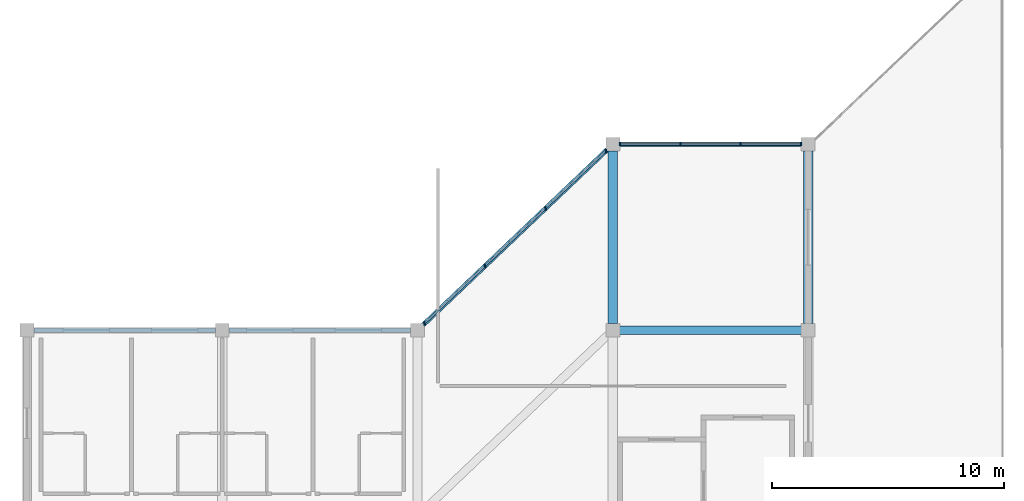
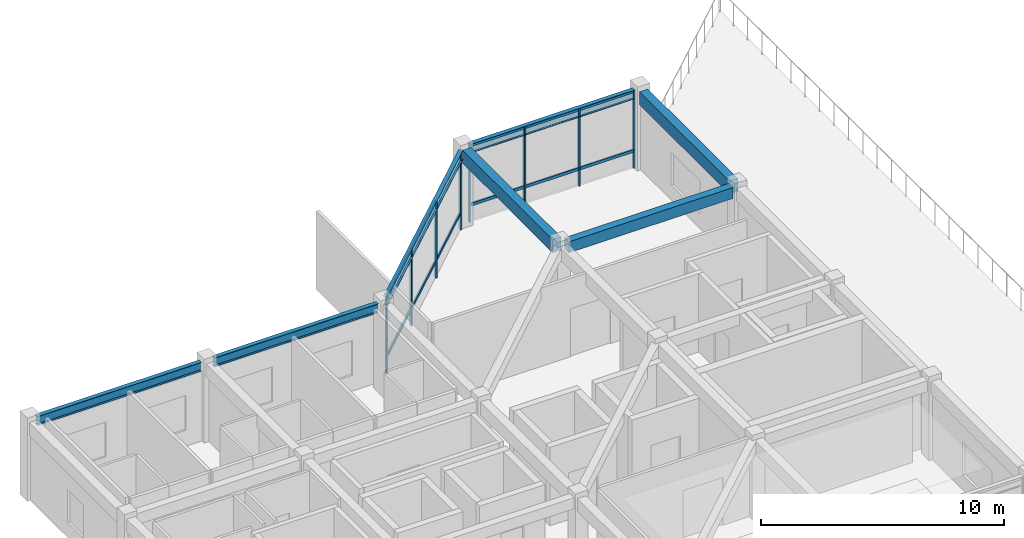
# One storey, part 5 of 11: 20 members, 7 beams, 2 elements without a shape of their own.
"""IFC4 building model written with IfcOpenShell, lengths in metres."""

import ifcopenshell
import ifcopenshell.guid

model = None  # the IFC model being written
_history = None  # IfcOwnerHistory: only IFC2X3 demands one
_inside = {}  # id of a spatial element -> (the spatial element, [elements in it])
_under = {}  # id of a project, library or spatial element -> (it, [spatial elements below it])
_declared = {}  # id of a project -> (the project, [libraries it declares])
_typed = {}  # id of a type object -> (the type object, [elements of that type])
_made_of = {}  # id of a material, layer set ... -> (it, [elements and type objects made of it])


def new_model(schema):
    """Start an empty IFC model of exactly this schema.

    Asked for "IFC4X3", IfcOpenShell would pick the latest addendum, in which some entities
    have other attributes; the version numbers below select the first issue.
    IFC2X3 requires an IfcOwnerHistory on every rooted entity: one is made here for all.
    """
    global model, _history
    if schema == "IFC4X3":
        model = ifcopenshell.file(schema_version=(4, 3, 0, 0))
    else:
        model = ifcopenshell.file(schema=schema)
    _inside.clear()
    _under.clear()
    _declared.clear()
    _typed.clear()
    _made_of.clear()
    _history = None
    if model.schema == "IFC2X3":
        org = make("IfcOrganization", Name="unknown")
        user = make(
            "IfcPersonAndOrganization",
            ThePerson=make("IfcPerson", FamilyName="unknown"),
            TheOrganization=org,
        )
        app = make(
            "IfcApplication",
            ApplicationDeveloper=org,
            Version="unknown",
            ApplicationFullName="unknown",
            ApplicationIdentifier="unknown",
        )
        _history = make(
            "IfcOwnerHistory",
            OwningUser=user,
            OwningApplication=app,
            ChangeAction="ADDED",
            CreationDate=0,
        )
    return model


def make(cls, **values):
    """One entity of the class cls with the attributes given. An attribute that is None is left unset."""
    return model.create_entity(
        cls, **{name: value for name, value in values.items() if value is not None}
    )


def rooted(cls, **values):
    """An entity with a GlobalId (a new one), such as an element, a storey or a relation."""
    return make(cls, GlobalId=ifcopenshell.guid.new(), OwnerHistory=_history, **values)


def si_unit(unit_type, name, prefix=None):
    """IfcSIUnit, for example si_unit("LENGTHUNIT", "METRE", prefix="MILLI")."""
    return make("IfcSIUnit", UnitType=unit_type, Prefix=prefix, Name=name)


def assignment(units):
    """IfcUnitAssignment: the units of a project."""
    return None if units is None else make("IfcUnitAssignment", Units=units)


def point(xyz):
    """IfcCartesianPoint."""
    return None if xyz is None else make("IfcCartesianPoint", Coordinates=xyz)


def direction(xyz):
    """IfcDirection."""
    return None if xyz is None else make("IfcDirection", DirectionRatios=xyz)


def frame(location, z_axis=None, x_axis=None):
    """IfcAxis2Placement3D, a coordinate frame: its origin and axes. An axis left out is left unset."""
    return make(
        "IfcAxis2Placement3D",
        Location=point(location),
        Axis=direction(z_axis),
        RefDirection=direction(x_axis),
    )


def frame_2d(location, x_axis=None):
    """IfcAxis2Placement2D, a coordinate frame in the plane: its origin and x axis."""
    return make(
        "IfcAxis2Placement2D", Location=point(location), RefDirection=direction(x_axis)
    )


def origin():
    """The frame at (0, 0, 0) with its axes left unset."""
    return frame((0.0, 0.0, 0.0))


def origin_2d():
    """The frame at (0, 0) in the plane with its x axis left unset."""
    return frame_2d((0.0, 0.0))


def place(relative_to, where):
    """IfcLocalPlacement: puts the frame where relative to a parent placement (None: the world)."""
    return make(
        "IfcLocalPlacement", PlacementRelTo=relative_to, RelativePlacement=where
    )


def context(
    kind, dimensions, precision=None, world=None, true_north=None, identifier=None
):
    """IfcGeometricRepresentationContext, for example the 3D "Model" context."""
    return make(
        "IfcGeometricRepresentationContext",
        ContextIdentifier=identifier,
        ContextType=kind,
        CoordinateSpaceDimension=dimensions,
        Precision=precision,
        WorldCoordinateSystem=world,
        TrueNorth=true_north,
    )


def subcontext(parent, identifier, kind, view, scale=None):
    """IfcGeometricRepresentationSubContext, for example "Body" below "Model"."""
    return make(
        "IfcGeometricRepresentationSubContext",
        ContextIdentifier=identifier,
        ContextType=kind,
        ParentContext=parent,
        TargetScale=scale,
        TargetView=view,
    )


def project(units=None, contexts=None):
    """IfcProject with its units and contexts."""
    return rooted(
        "IfcProject",
        Name="project",
        RepresentationContexts=contexts,
        UnitsInContext=assignment(units),
    )


def spatial(cls, under=None, at=None, **own):
    """A site, building, storey or space (cls), placed at a placement, below another one or the project."""
    s = rooted(cls, ObjectPlacement=at, **own)
    if under is not None:
        _under.setdefault(under.id(), (under, []))[1].append(s)
    return s


def profile(cls, at=None, kind="AREA", **sizes):
    """A parametric profile (cls). Its sizes go by their IFC names, for example OverallWidth=200.0."""
    return make(cls, ProfileType=kind, Position=at, **sizes)


def rectangle(**sizes):
    """IfcRectangleProfileDef."""
    return profile("IfcRectangleProfileDef", **sizes)


def i_section(**sizes):
    """IfcIShapeProfileDef."""
    return profile("IfcIShapeProfileDef", **sizes)


def extrude(swept, where, along, depth):
    """IfcExtrudedAreaSolid: the profile swept, set in the frame where, extruded along a direction by depth."""
    return make(
        "IfcExtrudedAreaSolid",
        SweptArea=swept,
        Position=where,
        ExtrudedDirection=direction(along),
        Depth=depth,
    )


def shape(context_of_items, identifier, shape_type, items):
    """IfcShapeRepresentation: the items that make up one representation, for example the "Body"."""
    return make(
        "IfcShapeRepresentation",
        ContextOfItems=context_of_items,
        RepresentationIdentifier=identifier,
        RepresentationType=shape_type,
        Items=items,
    )


def material(Name=None, Category=None):
    """IfcMaterial."""
    return make("IfcMaterial", Name=Name, Category=Category)


def layer(
    of_material, thickness, ventilated=None, Name=None, Category=None, Priority=None
):
    """IfcMaterialLayer: one layer of a wall or slab, of a material (None: an air gap)."""
    return make(
        "IfcMaterialLayer",
        Material=of_material,
        LayerThickness=thickness,
        IsVentilated=ventilated,
        Name=Name,
        Category=Category,
        Priority=Priority,
    )


def layer_set(layers, Name=None):
    """IfcMaterialLayerSet."""
    return make("IfcMaterialLayerSet", MaterialLayers=layers, LayerSetName=Name)


def material_profile(
    of_material, cross_section, Name=None, Category=None, Priority=None
):
    """IfcMaterialProfile: a cross section and its material."""
    return make(
        "IfcMaterialProfile",
        Name=Name,
        Material=of_material,
        Profile=cross_section,
        Priority=Priority,
        Category=Category,
    )


def profile_set(profiles, Name=None, composite=None):
    """IfcMaterialProfileSet."""
    return make(
        "IfcMaterialProfileSet",
        Name=Name,
        MaterialProfiles=profiles,
        CompositeProfile=composite,
    )


def made_of(thing, what):
    """Note that an element or type object is made of a material, layer set ...; save() writes the relation."""
    if what is not None:
        _made_of.setdefault(what.id(), (what, []))[1].append(thing)
    return thing


def type_object(cls, material=None, **own):
    """A type object (cls), such as IfcWallType, which elements share."""
    return made_of(rooted(cls, **own), material)


def element(
    cls,
    number,
    at=None,
    inside=None,
    cuts=None,
    type_object=None,
    material=None,
    context=None,
    identifier="Body",
    shape_type=None,
    held_by="IfcProductDefinitionShape",
    body=None,
    shapes=None,
    **own,
):
    """One element of the class cls, such as IfcWall. Its Tag is "e" and its number.

    at: its placement. inside: the storey or other place that contains it. cuts: it is an
    opening in that element (IfcRelVoidsElement). A single representation is given by context,
    identifier, shape_type and body (its items); several are given by shapes. held_by: the class
    of the entity that holds the representations. save() writes the other relations.
    """
    e = rooted(cls, Tag="e%d" % number, ObjectPlacement=at, **own)
    if body is not None:
        shapes = [shape(context, identifier, shape_type, body)]
    if shapes is not None:
        e.Representation = make(held_by, Representations=shapes)
    if inside is not None:
        _inside.setdefault(inside.id(), (inside, []))[1].append(e)
    if cuts is not None:
        rooted(
            "IfcRelVoidsElement", RelatingBuildingElement=cuts, RelatedOpeningElement=e
        )
    if type_object is not None:
        _typed.setdefault(type_object.id(), (type_object, []))[1].append(e)
    return made_of(e, material)


def aggregate(whole, parts):
    """IfcRelAggregates: a whole, such as a stair, and the parts it consists of."""
    return rooted("IfcRelAggregates", RelatingObject=whole, RelatedObjects=parts)


def save(model, path):
    """Write the relations noted so far, then the file.

    IfcRelAggregates (storeys below a building ...), IfcRelContainedInSpatialStructure (elements
    in a storey), IfcRelDefinesByType, IfcRelAssociatesMaterial and IfcRelDeclares: one each for
    every whole, place, type object, material and project.
    """
    for whole, parts in _under.values():
        aggregate(whole, parts)
    for where, things in _inside.values():
        rooted(
            "IfcRelContainedInSpatialStructure",
            RelatedElements=things,
            RelatingStructure=where,
        )
    for kind, things in _typed.values():
        rooted("IfcRelDefinesByType", RelatedObjects=things, RelatingType=kind)
    for what, things in _made_of.values():
        rooted("IfcRelAssociatesMaterial", RelatedObjects=things, RelatingMaterial=what)
    for by, libraries in _declared.values():
        rooted("IfcRelDeclares", RelatingContext=by, RelatedDefinitions=libraries)
    model.write(path)


model = new_model("IFC4")

# Units and contexts
model_context = context("Model", 3, precision=1e-05, world=origin(), true_north=direction((0.0, 1.0)))
body_context = subcontext(model_context, "Body", "Model", "MODEL_VIEW")
ifc_project = project(units=[si_unit("LENGTHUNIT", "METRE"), si_unit("AREAUNIT", "SQUARE_METRE"), si_unit("VOLUMEUNIT", "CUBIC_METRE"), si_unit("PLANEANGLEUNIT", "RADIAN"), si_unit("MASSUNIT", "GRAM", prefix="KILO")], contexts=[model_context])

# Site, building, storey
site_placement = place(None, origin())
site = spatial("IfcSite", under=ifc_project, at=site_placement, CompositionType="ELEMENT")
building_placement = place(site_placement, origin())
building = spatial("IfcBuilding", under=site, at=building_placement, Name="Naruveol Harbour Congress Hotel", CompositionType="ELEMENT")
storey_placement = place(building_placement, frame((0.0, 0.0, 47.39990234375)))
storey = spatial("IfcBuildingStorey", under=building, at=storey_placement, Name="L11", CompositionType="ELEMENT", Elevation=47.39990234375)

# Beams
ifc_material_1 = material(Name="Concrete C40/50", Category="concrete")
ifc_material_profile_1 = material_profile(ifc_material_1, rectangle(XDim=0.39990234375, YDim=0.64990234375, at=origin_2d()), Name="RCB-400x650")
ifc_profile_set_1 = profile_set([ifc_material_profile_1], Name="Concrete C40/50")
beam_type_1 = type_object("IfcBeamType", Name="RC HOTEL BEAM 400X650", PredefinedType="BEAM", material=ifc_profile_set_1)
for number, where, z_axis, x_axis, name in (
    (1, (151.199951171875, 32.2958984375, 3.614990234375), (0.0, 1.0, 0.0), (-1.0, 0.0, 0.0), "Hotel transverse beam RF CB4"),
    (2, (159.60009765625, 32.2958984375, 3.614990234375), (0.0, 1.0, 0.0), (-1.0, 0.0, 0.0), "Hotel transverse beam RF CB4"),
):
    element("IfcBeam", number, at=place(storey_placement, frame(where, z_axis=z_axis, x_axis=x_axis)), inside=storey, type_object=beam_type_1, Name=name, PredefinedType="BEAM", context=body_context, shape_type="SweptSolid", body=[
        extrude(rectangle(XDim=0.39990234375, YDim=0.64990234375, at=origin_2d()), origin(), (0.0, 0.0, 1.0), 7.408203125),
    ])
ifc_material_2 = material(Name="Concrete C40/50", Category="concrete")
ifc_material_profile_2 = material_profile(ifc_material_2, rectangle(XDim=0.35009765625, YDim=0.550048828125, at=origin_2d()), Name="RCB-350x550")
ifc_profile_set_2 = profile_set([ifc_material_profile_2], Name="Concrete C40/50")
beam_type_2 = type_object("IfcBeamType", Name="RC SECONDARY BEAM 350X550", PredefinedType="JOIST", material=ifc_profile_set_2)
beam_1_placement = place(storey_placement, frame((151.49609375, 32.0, 3.6650390625), z_axis=(1.0, 0.0, 0.0), x_axis=(0.0, 1.0, 0.0)))
element("IfcBeam", 3, at=beam_1_placement, inside=storey, type_object=beam_type_2, Name="Hotel chord beam RF CJ1", PredefinedType="JOIST", context=body_context, shape_type="SweptSolid", body=[
    extrude(rectangle(XDim=0.35009765625, YDim=0.550048828125, at=origin_2d()), origin(), (0.0, 0.0, 1.0), 7.807861328125),
])
ifc_material_3 = material(Name="Steel SN490", Category="steel")
ifc_material_profile_3 = material_profile(ifc_material_3, i_section(OverallWidth=0.199951171875, OverallDepth=0.449951171875, WebThickness=0.009033203125, FlangeThickness=0.013916015625, at=origin_2d()), Name="H-450x200x9x14")
ifc_profile_set_3 = profile_set([ifc_material_profile_3], Name="Steel SN490")
beam_type_3 = type_object("IfcBeamType", Name="STEEL SPANDREL EDGE BEAM H450", PredefinedType="SPANDREL", material=ifc_profile_set_3)
beam_2_placement = place(storey_placement, frame((126.2958984375, 32.0, 3.715087890625), z_axis=(1.0, 0.0, 0.0), x_axis=(0.0, 1.0, 0.0)))
element("IfcBeam", 4, at=beam_2_placement, inside=storey, type_object=beam_type_3, Name="Hotel chord beam RF SPB2", PredefinedType="SPANDREL", context=body_context, shape_type="SweptSolid", body=[
    extrude(i_section(OverallWidth=0.199951171875, OverallDepth=0.449951171875, WebThickness=0.009033203125, FlangeThickness=0.013916015625, at=origin_2d()), origin(), (0.0, 0.0, 1.0), 7.80810546875),
])
beam_3_placement = place(storey_placement, frame((134.696044921875, 32.0, 3.715087890625), z_axis=(1.0, 0.0, 0.0), x_axis=(0.0, 1.0, 0.0)))
element("IfcBeam", 5, at=beam_3_placement, inside=storey, type_object=beam_type_3, Name="Hotel chord beam RF SPB2", PredefinedType="SPANDREL", context=body_context, shape_type="SweptSolid", body=[
    extrude(i_section(OverallWidth=0.199951171875, OverallDepth=0.449951171875, WebThickness=0.009033203125, FlangeThickness=0.013916015625, at=origin_2d()), origin(), (0.0, 0.0, 1.0), 7.807861328125),
])
beam_4_placement = place(storey_placement, frame((143.014404296875, 32.2041015625, 3.715087890625), z_axis=(0.724129492057, 0.689664033231, 0.0), x_axis=(-0.689664033231, 0.724129492057, 0.0)))
element("IfcBeam", 6, at=beam_4_placement, inside=storey, type_object=beam_type_3, Name="Hotel chord beam RF SPB2", PredefinedType="SPANDREL", context=body_context, shape_type="SweptSolid", body=[
    extrude(i_section(OverallWidth=0.199951171875, OverallDepth=0.449951171875, WebThickness=0.009033203125, FlangeThickness=0.013916015625, at=origin_2d()), origin(), (0.0, 0.0, 1.0), 11.008056640625),
])
beam_5_placement = place(storey_placement, frame((151.49609375, 40.0, 3.715087890625), z_axis=(1.0, 0.0, 0.0), x_axis=(0.0, 1.0, 0.0)))
element("IfcBeam", 7, at=beam_5_placement, inside=storey, type_object=beam_type_3, Name="Hotel chord beam RF SPB2", PredefinedType="SPANDREL", context=body_context, shape_type="SweptSolid", body=[
    extrude(i_section(OverallWidth=0.199951171875, OverallDepth=0.449951171875, WebThickness=0.009033203125, FlangeThickness=0.013916015625, at=origin_2d()), origin(), (0.0, 0.0, 1.0), 7.807861328125),
])

# Curtain wall, members
ifc_material_4 = material(Name="Low-E Curtain Wall System", Category="glass")
ifc_layer_1 = layer(ifc_material_4, 0.179931640625)
ifc_layer_set_1 = layer_set([ifc_layer_1], Name="Low-E Curtain Wall System")
curtain_wall_type_1 = type_object("IfcCurtainWallType", Name="UNITISED CURTAIN WALL CW-V5CN-55 10771X3920", PredefinedType="USERDEFINED", material=ifc_layer_set_1)
curtain_wall_1_placement = place(storey_placement, origin())
curtain_wall_1 = element("IfcCurtainWall", 8, at=curtain_wall_1_placement, inside=storey, type_object=curtain_wall_type_1, Name="Unitised curtain wall CW-V5CN-55 L11", ObjectType="UNITISED GLAZING", PredefinedType="USERDEFINED")
ifc_material_5 = material(Name="Anodised Aluminium 6063-T6", Category="aluminium")
ifc_material_profile_4 = material_profile(ifc_material_5, rectangle(XDim=0.06494140625, YDim=0.14990234375, at=origin_2d()), Name="ALU-65x150")
ifc_profile_set_4 = profile_set([ifc_material_profile_4], Name="Anodised Aluminium 6063-T6")
member_type_1 = type_object("IfcMemberType", Name="THERMAL ALUMINIUM MULLION 65X150", PredefinedType="MULLION", material=ifc_profile_set_4)
member_1_placement = place(storey_placement, frame((143.10009765625, 32.285888671875, 0.0), z_axis=(0.0, 0.0, 1.0), x_axis=(1.0, 0.0, 0.0)))
member_1 = element("IfcMember", 9, at=member_1_placement, type_object=member_type_1, Name="Curtain wall mullion CW-L11-0152-M0", PredefinedType="MULLION", context=body_context, shape_type="SweptSolid", body=[
    extrude(rectangle(XDim=0.06494140625, YDim=0.14990234375, at=origin_2d()), origin(), (0.0, 0.0, 1.0), 3.920166015625),
])
member_2_placement = place(storey_placement, frame((145.699951171875, 34.761962890625, 0.0), z_axis=(0.0, 0.0, 1.0), x_axis=(1.0, 0.0, 0.0)))
member_2 = element("IfcMember", 10, at=member_2_placement, type_object=member_type_1, Name="Curtain wall mullion CW-L11-0152-M1", PredefinedType="MULLION", context=body_context, shape_type="SweptSolid", body=[
    extrude(rectangle(XDim=0.06494140625, YDim=0.14990234375, at=origin_2d()), origin(), (0.0, 0.0, 1.0), 3.920166015625),
])
member_3_placement = place(storey_placement, frame((148.300048828125, 37.238037109375, 0.0), z_axis=(0.0, 0.0, 1.0), x_axis=(1.0, 0.0, 0.0)))
member_3 = element("IfcMember", 11, at=member_3_placement, type_object=member_type_1, Name="Curtain wall mullion CW-L11-0152-M2", PredefinedType="MULLION", context=body_context, shape_type="SweptSolid", body=[
    extrude(rectangle(XDim=0.06494140625, YDim=0.14990234375, at=origin_2d()), origin(), (0.0, 0.0, 1.0), 3.920166015625),
])
member_4_placement = place(storey_placement, frame((150.89990234375, 39.714111328125, 0.0), z_axis=(0.0, 0.0, 1.0), x_axis=(1.0, 0.0, 0.0)))
member_4 = element("IfcMember", 12, at=member_4_placement, type_object=member_type_1, Name="Curtain wall mullion CW-L11-0152-M3", PredefinedType="MULLION", context=body_context, shape_type="SweptSolid", body=[
    extrude(rectangle(XDim=0.06494140625, YDim=0.14990234375, at=origin_2d()), origin(), (0.0, 0.0, 1.0), 3.920166015625),
])

ifc_material_6 = material(Name="Low-E Curtain Wall System", Category="glass")
ifc_layer_2 = layer(ifc_material_6, 0.179931640625)
ifc_layer_set_2 = layer_set([ifc_layer_2], Name="Low-E Curtain Wall System")
curtain_wall_type_2 = type_object("IfcCurtainWallType", Name="UNITISED CURTAIN WALL CW-V5CN-57 7800X3920", PredefinedType="USERDEFINED", material=ifc_layer_set_2)
curtain_wall_2_placement = place(storey_placement, origin())
curtain_wall_2 = element("IfcCurtainWall", 13, at=curtain_wall_2_placement, inside=storey, type_object=curtain_wall_type_2, Name="Unitised curtain wall CW-V5CN-57 L11", ObjectType="UNITISED GLAZING", PredefinedType="USERDEFINED")
member_5_placement = place(storey_placement, frame((151.5, 40.0, 0.0), z_axis=(0.0, 0.0, 1.0), x_axis=(1.0, 0.0, 0.0)))
member_5 = element("IfcMember", 14, at=member_5_placement, type_object=member_type_1, Name="Curtain wall mullion CW-L11-0154-M0", PredefinedType="MULLION", context=body_context, shape_type="SweptSolid", body=[
    extrude(rectangle(XDim=0.06494140625, YDim=0.14990234375, at=origin_2d()), origin(), (0.0, 0.0, 1.0), 3.920166015625),
])
member_6_placement = place(storey_placement, frame((154.10009765625, 40.0, 0.0), z_axis=(0.0, 0.0, 1.0), x_axis=(1.0, 0.0, 0.0)))
member_6 = element("IfcMember", 15, at=member_6_placement, type_object=member_type_1, Name="Curtain wall mullion CW-L11-0154-M1", PredefinedType="MULLION", context=body_context, shape_type="SweptSolid", body=[
    extrude(rectangle(XDim=0.06494140625, YDim=0.14990234375, at=origin_2d()), origin(), (0.0, 0.0, 1.0), 3.920166015625),
])
member_7_placement = place(storey_placement, frame((156.699951171875, 40.0, 0.0), z_axis=(0.0, 0.0, 1.0), x_axis=(1.0, 0.0, 0.0)))
member_7 = element("IfcMember", 16, at=member_7_placement, type_object=member_type_1, Name="Curtain wall mullion CW-L11-0154-M2", PredefinedType="MULLION", context=body_context, shape_type="SweptSolid", body=[
    extrude(rectangle(XDim=0.06494140625, YDim=0.14990234375, at=origin_2d()), origin(), (0.0, 0.0, 1.0), 3.920166015625),
])
member_8_placement = place(storey_placement, frame((159.300048828125, 40.0, 0.0), z_axis=(0.0, 0.0, 1.0), x_axis=(1.0, 0.0, 0.0)))
member_8 = element("IfcMember", 17, at=member_8_placement, type_object=member_type_1, Name="Curtain wall mullion CW-L11-0154-M3", PredefinedType="MULLION", context=body_context, shape_type="SweptSolid", body=[
    extrude(rectangle(XDim=0.06494140625, YDim=0.14990234375, at=origin_2d()), origin(), (0.0, 0.0, 1.0), 3.920166015625),
])

# Member
ifc_material_7 = material(Name="Anodised Aluminium 6063-T6", Category="aluminium")
ifc_material_profile_5 = material_profile(ifc_material_7, rectangle(XDim=0.074951171875, YDim=0.14990234375, at=origin_2d()), Name="ALU-75x150")
ifc_profile_set_5 = profile_set([ifc_material_profile_5], Name="Anodised Aluminium 6063-T6")
member_type_2 = type_object("IfcMemberType", Name="THERMAL ALUMINIUM TRANSOM 75X150", PredefinedType="USERDEFINED", material=ifc_profile_set_5)
member_9_placement = place(storey_placement, frame((143.12890625, 32.313720703125, 0.85009765625), z_axis=(0.724179280726, 0.689611752631, 0.0), x_axis=(-0.689611752631, 0.724179280726, 0.0)))
member_9 = element("IfcMember", 18, at=member_9_placement, type_object=member_type_2, Name="Curtain wall transom CW-L11-0152-T0.1", ObjectType="TRANSOM", PredefinedType="USERDEFINED", context=body_context, shape_type="SweptSolid", body=[
    extrude(rectangle(XDim=0.074951171875, YDim=0.14990234375, at=origin_2d()), origin(), (0.0, 0.0, 1.0), 3.51025390625),
])

member_10_placement = place(storey_placement, frame((143.12890625, 32.313720703125, 3.840087890625), z_axis=(0.724179280726, 0.689611752631, 0.0), x_axis=(-0.689611752631, 0.724179280726, 0.0)))
member_10 = element("IfcMember", 19, at=member_10_placement, type_object=member_type_2, Name="Curtain wall transom CW-L11-0152-T0.2", ObjectType="TRANSOM", PredefinedType="USERDEFINED", context=body_context, shape_type="SweptSolid", body=[
    extrude(rectangle(XDim=0.074951171875, YDim=0.14990234375, at=origin_2d()), origin(), (0.0, 0.0, 1.0), 3.51025390625),
])

member_11_placement = place(storey_placement, frame((145.72900390625, 34.78955078125, 0.85009765625), z_axis=(0.724144546843, 0.689648225748, 0.0), x_axis=(-0.689648225748, 0.724144546843, 0.0)))
member_11 = element("IfcMember", 20, at=member_11_placement, type_object=member_type_2, Name="Curtain wall transom CW-L11-0152-T1.1", ObjectType="TRANSOM", PredefinedType="USERDEFINED", context=body_context, shape_type="SweptSolid", body=[
    extrude(rectangle(XDim=0.074951171875, YDim=0.14990234375, at=origin_2d()), origin(), (0.0, 0.0, 1.0), 3.51025390625),
])

member_12_placement = place(storey_placement, frame((145.72900390625, 34.78955078125, 3.840087890625), z_axis=(0.724144546843, 0.689648225748, 0.0), x_axis=(-0.689648225748, 0.724144546843, 0.0)))
member_12 = element("IfcMember", 21, at=member_12_placement, type_object=member_type_2, Name="Curtain wall transom CW-L11-0152-T1.2", ObjectType="TRANSOM", PredefinedType="USERDEFINED", context=body_context, shape_type="SweptSolid", body=[
    extrude(rectangle(XDim=0.074951171875, YDim=0.14990234375, at=origin_2d()), origin(), (0.0, 0.0, 1.0), 3.51025390625),
])

member_13_placement = place(storey_placement, frame((148.3291015625, 37.265625, 0.85009765625), z_axis=(0.724179280726, 0.689611752631, 0.0), x_axis=(-0.689611752631, 0.724179280726, 0.0)))
member_13 = element("IfcMember", 22, at=member_13_placement, type_object=member_type_2, Name="Curtain wall transom CW-L11-0152-T2.1", ObjectType="TRANSOM", PredefinedType="USERDEFINED", context=body_context, shape_type="SweptSolid", body=[
    extrude(rectangle(XDim=0.074951171875, YDim=0.14990234375, at=origin_2d()), origin(), (0.0, 0.0, 1.0), 3.51025390625),
])

member_14_placement = place(storey_placement, frame((148.3291015625, 37.265625, 3.840087890625), z_axis=(0.724179280726, 0.689611752631, 0.0), x_axis=(-0.689611752631, 0.724179280726, 0.0)))
member_14 = element("IfcMember", 23, at=member_14_placement, type_object=member_type_2, Name="Curtain wall transom CW-L11-0152-T2.2", ObjectType="TRANSOM", PredefinedType="USERDEFINED", context=body_context, shape_type="SweptSolid", body=[
    extrude(rectangle(XDim=0.074951171875, YDim=0.14990234375, at=origin_2d()), origin(), (0.0, 0.0, 1.0), 3.51025390625),
])

aggregate(curtain_wall_1, [member_1, member_2, member_3, member_4, member_9, member_10, member_11, member_12, member_13, member_14])

member_15_placement = place(storey_placement, frame((151.5400390625, 40.0, 0.85009765625), z_axis=(1.0, 0.0, 0.0), x_axis=(0.0, 1.0, 0.0)))
member_15 = element("IfcMember", 24, at=member_15_placement, type_object=member_type_2, Name="Curtain wall transom CW-L11-0154-T0.1", ObjectType="TRANSOM", PredefinedType="USERDEFINED", context=body_context, shape_type="SweptSolid", body=[
    extrude(rectangle(XDim=0.074951171875, YDim=0.14990234375, at=origin_2d()), origin(), (0.0, 0.0, 1.0), 2.52001953125),
])

member_16_placement = place(storey_placement, frame((151.5400390625, 40.0, 3.840087890625), z_axis=(1.0, 0.0, 0.0), x_axis=(0.0, 1.0, 0.0)))
member_16 = element("IfcMember", 25, at=member_16_placement, type_object=member_type_2, Name="Curtain wall transom CW-L11-0154-T0.2", ObjectType="TRANSOM", PredefinedType="USERDEFINED", context=body_context, shape_type="SweptSolid", body=[
    extrude(rectangle(XDim=0.074951171875, YDim=0.14990234375, at=origin_2d()), origin(), (0.0, 0.0, 1.0), 2.52001953125),
])

member_17_placement = place(storey_placement, frame((154.139892578125, 40.0, 0.85009765625), z_axis=(1.0, 0.0, 0.0), x_axis=(0.0, 1.0, 0.0)))
member_17 = element("IfcMember", 26, at=member_17_placement, type_object=member_type_2, Name="Curtain wall transom CW-L11-0154-T1.1", ObjectType="TRANSOM", PredefinedType="USERDEFINED", context=body_context, shape_type="SweptSolid", body=[
    extrude(rectangle(XDim=0.074951171875, YDim=0.14990234375, at=origin_2d()), origin(), (0.0, 0.0, 1.0), 2.52001953125),
])

member_18_placement = place(storey_placement, frame((154.139892578125, 40.0, 3.840087890625), z_axis=(1.0, 0.0, 0.0), x_axis=(0.0, 1.0, 0.0)))
member_18 = element("IfcMember", 27, at=member_18_placement, type_object=member_type_2, Name="Curtain wall transom CW-L11-0154-T1.2", ObjectType="TRANSOM", PredefinedType="USERDEFINED", context=body_context, shape_type="SweptSolid", body=[
    extrude(rectangle(XDim=0.074951171875, YDim=0.14990234375, at=origin_2d()), origin(), (0.0, 0.0, 1.0), 2.52001953125),
])

member_19_placement = place(storey_placement, frame((156.739990234375, 40.0, 0.85009765625), z_axis=(1.0, 0.0, 0.0), x_axis=(0.0, 1.0, 0.0)))
member_19 = element("IfcMember", 28, at=member_19_placement, type_object=member_type_2, Name="Curtain wall transom CW-L11-0154-T2.1", ObjectType="TRANSOM", PredefinedType="USERDEFINED", context=body_context, shape_type="SweptSolid", body=[
    extrude(rectangle(XDim=0.074951171875, YDim=0.14990234375, at=origin_2d()), origin(), (0.0, 0.0, 1.0), 2.52001953125),
])

member_20_placement = place(storey_placement, frame((156.739990234375, 40.0, 3.840087890625), z_axis=(1.0, 0.0, 0.0), x_axis=(0.0, 1.0, 0.0)))
member_20 = element("IfcMember", 29, at=member_20_placement, type_object=member_type_2, Name="Curtain wall transom CW-L11-0154-T2.2", ObjectType="TRANSOM", PredefinedType="USERDEFINED", context=body_context, shape_type="SweptSolid", body=[
    extrude(rectangle(XDim=0.074951171875, YDim=0.14990234375, at=origin_2d()), origin(), (0.0, 0.0, 1.0), 2.52001953125),
])

aggregate(curtain_wall_2, [member_5, member_6, member_7, member_8, member_15, member_16, member_17, member_18, member_19, member_20])

save(model, "model.ifc")
